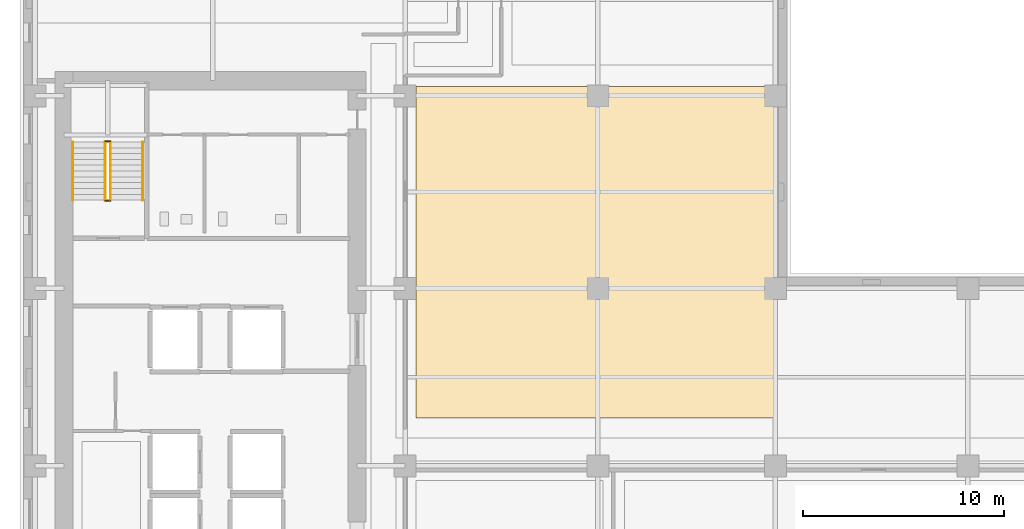
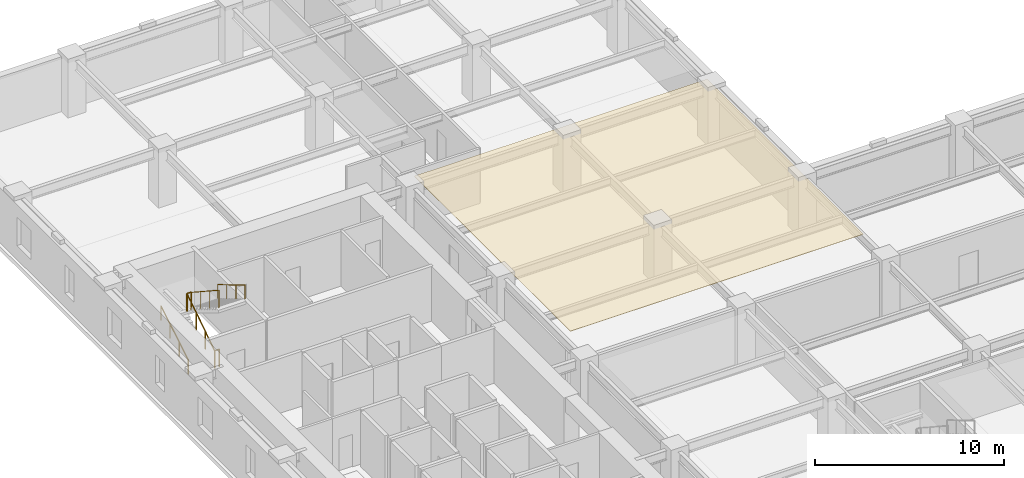
# One storey, part 11 of 13: 6 railings, 1 covering.
"""IFC4 building model written with IfcOpenShell, lengths in metres."""

from ifc_helpers import new_model, si_unit, direction, frame, origin, origin_2d, place, context, subcontext, project, spatial, polyline, circle, outline, extrude, material, layer, layer_set, type_object, element, save


model = new_model("IFC4")

# Units and contexts
model_context = context("Model", 3, precision=1e-05, world=origin(), true_north=direction((0.0, 1.0)))
body_context = subcontext(model_context, "Body", "Model", "MODEL_VIEW")
ifc_project = project(units=[si_unit("LENGTHUNIT", "METRE"), si_unit("AREAUNIT", "SQUARE_METRE"), si_unit("VOLUMEUNIT", "CUBIC_METRE"), si_unit("PLANEANGLEUNIT", "RADIAN"), si_unit("MASSUNIT", "GRAM", prefix="KILO")], contexts=[model_context])

# Site, building, storey
site_placement = place(None, origin())
site = spatial("IfcSite", under=ifc_project, at=site_placement, CompositionType="ELEMENT")
building_placement = place(site_placement, origin())
building = spatial("IfcBuilding", under=site, at=building_placement, Name="Norrvale University Quadrangle", CompositionType="ELEMENT")
storey_placement = place(building_placement, frame((0.0, 0.0, 69.800048828125)))
storey = spatial("IfcBuildingStorey", under=building, at=storey_placement, Name="L17", CompositionType="ELEMENT", Elevation=69.800048828125)

# Covering
ifc_material_1 = material(Name="Perforated Acoustic Mineral Ceiling")
ifc_layer = layer(ifc_material_1, 0.02490234375, Name="Perforated Acoustic Mineral Ceiling")
ifc_layer_set = layer_set([ifc_layer], Name="Perforated Acoustic Mineral Ceiling")
covering_type = type_object("IfcCoveringType", Name="Covering Acoustic Ceiling 25", PredefinedType="CEILING", material=ifc_layer_set)
covering_placement = place(storey_placement, frame((0.0, 0.0, 3.514892578125)))
element("IfcCovering", 1, at=covering_placement, inside=storey, type_object=covering_type, Name="Acoustic Ceiling RM-L17-MNE01", PredefinedType="CEILING", context=body_context, shape_type="SweptSolid", body=[
    extrude(outline(polyline([(19.72998046875, 47.719970703125), (37.64990234375, 47.719970703125), (37.64990234375, 31.179931640625), (19.72998046875, 31.179931640625), (19.72998046875, 47.719970703125)])), origin(), (0.0, 0.0, 1.0), 0.025146484375),
])

# Railings
ifc_material_2 = material(Name="Steel 350W Painted Balustrade", Category="steel")
railing_type_1 = type_object("IfcRailingType", Name="Railing Stair Guard 1100", PredefinedType="GUARDRAIL", material=ifc_material_2)
for number, where, name in (
    (2, (4.239990234375, 42.02001953125, 0.0), "Stair Floor Well Guard ST-02 L17"),
    (3, (4.239990234375, 44.97998046875, 1.89990234375), "Stair Mid-Landing Slot Guard ST-02 L17"),
):
    element("IfcRailing", number, at=place(storey_placement, frame(where)), inside=storey, type_object=railing_type_1, Name=name, PredefinedType="GUARDRAIL", context=body_context, shape_type="SweptSolid", body=[
        extrude(circle(Radius=0.02392578125, at=origin_2d()), frame((0.0, 0.0, 1.1259765625), z_axis=(1.0, 0.0, 0.0), x_axis=(0.0, 1.0, 0.0)), (0.0, 0.0, 1.0), 0.27001953125),
        extrude(circle(Radius=0.02099609375, at=origin_2d()), origin(), (0.0, 0.0, 1.0), 1.101806640625),
        extrude(circle(Radius=0.02099609375, at=origin_2d()), frame((0.27001953125, 0.0, 0.0)), (0.0, 0.0, 1.0), 1.101806640625),
    ])
railing_1_placement = place(storey_placement, frame((4.239990234375, 42.050048828125, 0.0)))
element("IfcRailing", 4, at=railing_1_placement, inside=storey, type_object=railing_type_1, Name="Stair Lower Flight Inner Guard ST-02 L17", PredefinedType="GUARDRAIL", context=body_context, shape_type="SweptSolid", body=[
    extrude(circle(Radius=0.02392578125, at=origin_2d()), frame((0.0, 0.0, 1.1259765625), z_axis=(0.0, 0.836465582154, 0.548019461216), x_axis=(-1.0, 0.0, 0.0)), (0.0, 0.0, 1.0), 3.466796875),
    extrude(circle(Radius=0.02099609375, at=origin_2d()), origin(), (0.0, 0.0, 1.0), 1.101806640625),
    extrude(circle(Radius=0.02099609375, at=origin_2d()), frame((0.0, 0.966552734375, 0.63330078125)), (0.0, 0.0, 1.0), 1.101806640625),
    extrude(circle(Radius=0.02099609375, at=origin_2d()), frame((0.0, 1.933349609375, 1.2666015625)), (0.0, 0.0, 1.0), 1.101806640625),
    extrude(circle(Radius=0.02099609375, at=origin_2d()), frame((0.0, 2.89990234375, 1.89990234375)), (0.0, 0.0, 1.0), 1.101806640625),
])
railing_2_placement = place(storey_placement, frame((4.510009765625, 44.949951171875, 1.89990234375)))
element("IfcRailing", 5, at=railing_2_placement, inside=storey, type_object=railing_type_1, Name="Stair Upper Flight Inner Guard ST-02 L17", PredefinedType="GUARDRAIL", context=body_context, shape_type="SweptSolid", body=[
    extrude(circle(Radius=0.02392578125, at=origin_2d()), frame((0.0, 0.0, 1.1259765625), z_axis=(0.0, -0.836433300813, 0.548068730445), x_axis=(1.0, 0.0, 0.0)), (0.0, 0.0, 1.0), 3.467041015625),
    extrude(circle(Radius=0.02099609375, at=origin_2d()), origin(), (0.0, 0.0, 1.0), 1.101806640625),
    extrude(circle(Radius=0.02099609375, at=origin_2d()), frame((0.0, -0.966552734375, 0.63330078125)), (0.0, 0.0, 1.0), 1.101806640625),
    extrude(circle(Radius=0.02099609375, at=origin_2d()), frame((0.0, -1.933349609375, 1.266845703125)), (0.0, 0.0, 1.0), 1.101806640625),
    extrude(circle(Radius=0.02099609375, at=origin_2d()), frame((0.0, -2.89990234375, 1.900146484375)), (0.0, 0.0, 1.0), 1.101806640625),
])
ifc_material_3 = material(Name="Stainless Steel 316L Handrail", Category="steel")
railing_type_2 = type_object("IfcRailingType", Name="Railing Stair Handrail 920", PredefinedType="HANDRAIL", material=ifc_material_3)
railing_3_placement = place(storey_placement, frame((2.639892578125, 42.050048828125, 0.172607421875)))
element("IfcRailing", 6, at=railing_3_placement, inside=storey, type_object=railing_type_2, Name="Stair Lower Flight Handrail ST-02 L17", PredefinedType="HANDRAIL", context=body_context, shape_type="SweptSolid", body=[
    extrude(circle(Radius=0.02392578125, at=origin_2d()), frame((0.0, 0.0, 0.89599609375), z_axis=(0.0, 0.859141464434, 0.511738159696), x_axis=(-1.0, 0.0, 0.0)), (0.0, 0.0, 1.0), 3.375244140625),
    extrude(circle(Radius=0.02099609375, at=origin_2d()), origin(), (0.0, 0.0, 1.0), 0.871826171875),
    extrude(circle(Radius=0.02099609375, at=origin_2d()), frame((0.0, 0.966552734375, 0.57568359375)), (0.0, 0.0, 1.0), 0.871826171875),
    extrude(circle(Radius=0.02099609375, at=origin_2d()), frame((0.0, 1.933349609375, 1.151611328125)), (0.0, 0.0, 1.0), 0.871826171875),
    extrude(circle(Radius=0.02099609375, at=origin_2d()), frame((0.0, 2.89990234375, 1.727294921875)), (0.0, 0.0, 1.0), 0.871826171875),
])
railing_4_placement = place(storey_placement, frame((6.110107421875, 44.949951171875, 2.07275390625)))
element("IfcRailing", 7, at=railing_4_placement, inside=storey, type_object=railing_type_2, Name="Stair Upper Flight Handrail ST-02 L17", PredefinedType="HANDRAIL", context=body_context, shape_type="SweptSolid", body=[
    extrude(circle(Radius=0.02392578125, at=origin_2d()), frame((0.0, 0.0, 0.89599609375), z_axis=(0.0, -0.859141464434, 0.511738159696), x_axis=(1.0, 0.0, 0.0)), (0.0, 0.0, 1.0), 3.375244140625),
    extrude(circle(Radius=0.02099609375, at=origin_2d()), origin(), (0.0, 0.0, 1.0), 0.871826171875),
    extrude(circle(Radius=0.02099609375, at=origin_2d()), frame((0.0, -0.966552734375, 0.57568359375)), (0.0, 0.0, 1.0), 0.871826171875),
    extrude(circle(Radius=0.02099609375, at=origin_2d()), frame((0.0, -1.933349609375, 1.151611328125)), (0.0, 0.0, 1.0), 0.871826171875),
    extrude(circle(Radius=0.02099609375, at=origin_2d()), frame((0.0, -2.89990234375, 1.727294921875)), (0.0, 0.0, 1.0), 0.871826171875),
])

save(model, "model.ifc")
